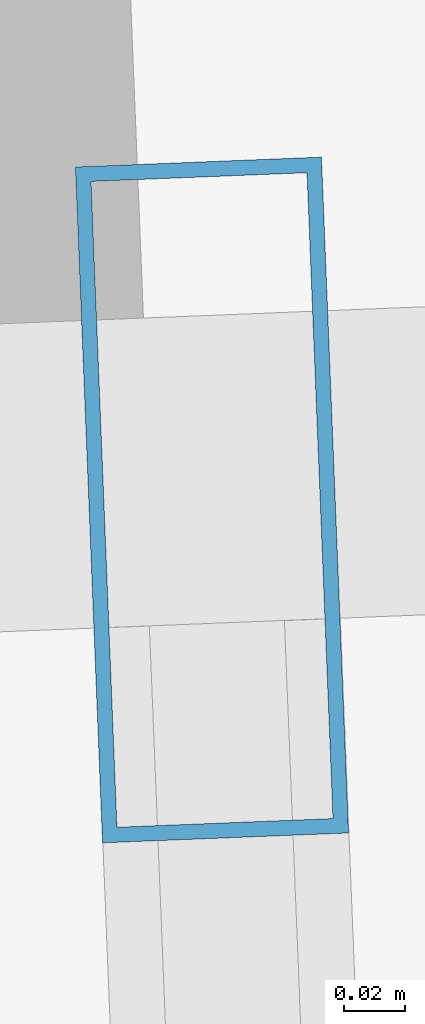
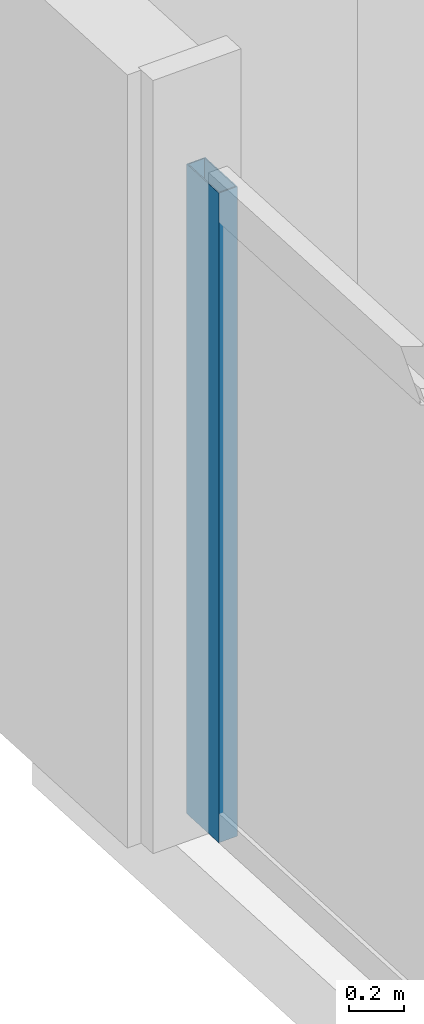
# One storey, part 16 of 32: 1 member, 1 element without a shape of its own.
"""IFC4 building model written with IfcOpenShell, lengths in metres."""

from ifc_helpers import new_model, si_unit, direction, frame, origin, origin_2d, place, context, subcontext, project, spatial, hollow_rectangle, extrude, material, material_profile, profile_set, type_object, element, aggregate, save


model = new_model("IFC4")

# Units and contexts
model_context = context("Model", 3, precision=1e-05, world=origin(), true_north=direction((0.0, 1.0)))
body_context = subcontext(model_context, "Body", "Model", "MODEL_VIEW")
ifc_project = project(units=[si_unit("LENGTHUNIT", "METRE"), si_unit("AREAUNIT", "SQUARE_METRE"), si_unit("VOLUMEUNIT", "CUBIC_METRE"), si_unit("PLANEANGLEUNIT", "RADIAN"), si_unit("MASSUNIT", "GRAM", prefix="KILO")], contexts=[model_context])

# Site, building, storey
site_placement = place(None, origin())
site = spatial("IfcSite", under=ifc_project, at=site_placement, CompositionType="ELEMENT")
building_placement = place(site_placement, origin())
building = spatial("IfcBuilding", under=site, at=building_placement, Name="Haldenkirk Collegiate Tower", CompositionType="ELEMENT")
storey_placement = place(building_placement, frame((0.0, 0.0, 36.449951171875)))
storey = spatial("IfcBuildingStorey", under=building, at=storey_placement, Name="L07", CompositionType="ELEMENT", Elevation=36.449951171875)

# Curtain wall, member
ifc_material = material(Name="Anodised architectural bronze aluminium", Category="aluminium")
curtain_wall_type = type_object("IfcCurtainWallType", Name="CW-SYS1-CONVEX-LOW", PredefinedType="USERDEFINED", material=ifc_material)
curtain_wall_placement = place(storey_placement, origin())
curtain_wall = element("IfcCurtainWall", 1, at=curtain_wall_placement, inside=storey, type_object=curtain_wall_type, Name="L07 Lower tower convex bronze-framed unitised curtain wall", ObjectType="UNITISED CURTAIN WALL", PredefinedType="USERDEFINED")
ifc_material_profile = material_profile(ifc_material, hollow_rectangle(XDim=0.080078125, YDim=0.219970703125, WallThickness=0.0048828125, at=origin_2d()), Name="CW-MUL-1A")
ifc_profile_set = profile_set([ifc_material_profile], Name="Anodised architectural bronze aluminium")
member_type = type_object("IfcMemberType", Name="CW-MUL-1A", PredefinedType="MULLION", material=ifc_profile_set)
member_placement = place(storey_placement, frame((8.364501953125, 45.766845703125, 0.0), z_axis=(0.0, 0.0, 1.0), x_axis=(-0.999194371406, -0.040132382816, 0.0)))
member = element("IfcMember", 2, at=member_placement, type_object=member_type, Name="CW-1A mullion 5", PredefinedType="MULLION", context=body_context, shape_type="SweptSolid", body=[
    extrude(hollow_rectangle(XDim=0.080078125, YDim=0.219970703125, WallThickness=0.0048828125, at=origin_2d()), origin(), (0.0, 0.0, 1.0), 2.89111328125),
])
aggregate(curtain_wall, [member])

save(model, "model.ifc")
